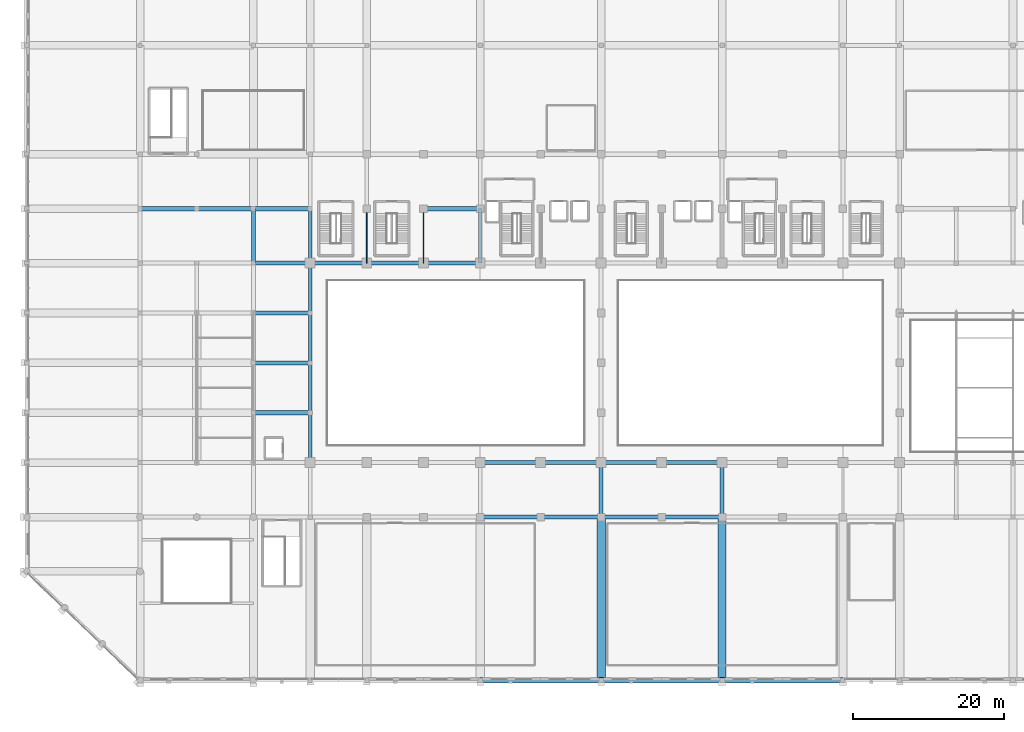
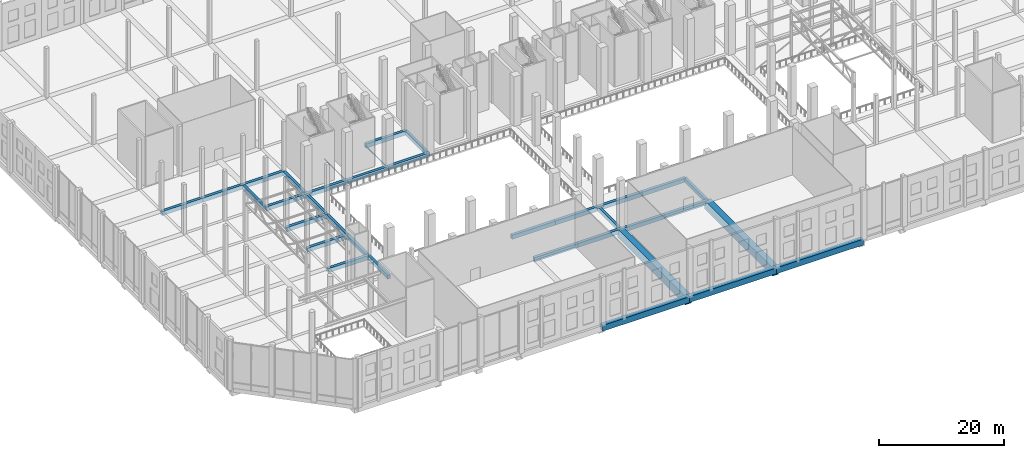
# One storey, part 25 of 80: 33 beams, 2 members.
"""IFC4 building model written with IfcOpenShell, lengths in metres."""

from ifc_helpers import new_model, si_unit, direction, frame, origin, origin_2d, place, context, subcontext, project, spatial, rectangle, hollow_rectangle, extrude, material, material_profile, profile_set, type_object, element, save


model = new_model("IFC4")

# Units and contexts
model_context = context("Model", 3, precision=1e-05, world=origin(), true_north=direction((0.0, 1.0)))
body_context = subcontext(model_context, "Body", "Model", "MODEL_VIEW")
ifc_project = project(units=[si_unit("LENGTHUNIT", "METRE"), si_unit("AREAUNIT", "SQUARE_METRE"), si_unit("VOLUMEUNIT", "CUBIC_METRE"), si_unit("PLANEANGLEUNIT", "RADIAN"), si_unit("MASSUNIT", "GRAM", prefix="KILO")], contexts=[model_context])

# Site, building, storey
site_placement = place(None, origin())
site = spatial("IfcSite", under=ifc_project, at=site_placement, CompositionType="ELEMENT")
building_placement = place(site_placement, origin())
building = spatial("IfcBuilding", under=site, at=building_placement, Name="Akrevak Sports Hall", CompositionType="ELEMENT")
storey_placement = place(building_placement, frame((0.0, 0.0, 14.0)))
storey = spatial("IfcBuildingStorey", under=building, at=storey_placement, Name="L03", CompositionType="ELEMENT", Elevation=14.0)

# Beams
ifc_material_1 = material(Name="Concrete C50/60", Category="concrete")
ifc_material_profile_1 = material_profile(ifc_material_1, rectangle(XDim=1.10009765625, YDim=1.64990234375, at=origin_2d()), Name="BM 1100x1650", Category="concrete")
ifc_profile_set_1 = profile_set([ifc_material_profile_1], Name="Concrete C50/60")
beam_type_1 = type_object("IfcBeamType", Name="STR-BM-LG1100x1650", PredefinedType="BEAM", material=ifc_profile_set_1)
for number, where, z_axis, x_axis, name in (
    (1, (76.0, 0.0, -0.824951171875), (0.0, 1.0, 0.0), (-1.0, 0.0, 0.0), "Girder 11/A-D (L03)"),
    (2, (92.0, 0.0, -0.824951171875), (0.0, 1.0, 0.0), (-1.0, 0.0, 0.0), "Girder 13/A-D (L03)"),
):
    element("IfcBeam", number, at=place(storey_placement, frame(where, z_axis=z_axis, x_axis=x_axis)), inside=storey, type_object=beam_type_1, Name=name, PredefinedType="BEAM", context=body_context, shape_type="SweptSolid", body=[
        extrude(rectangle(XDim=1.10009765625, YDim=1.64990234375, at=origin_2d()), origin(), (0.0, 0.0, 1.0), 21.60009765625),
    ])
ifc_material_2 = material(Name="Concrete C40/50", Category="concrete")
ifc_material_profile_2 = material_profile(ifc_material_2, rectangle(XDim=0.5, YDim=0.75, at=origin_2d()), Name="BM 500x750", Category="concrete")
ifc_profile_set_2 = profile_set([ifc_material_profile_2], Name="Concrete C40/50")
beam_type_2 = type_object("IfcBeamType", Name="STR-BM-RC500x750", PredefinedType="BEAM", material=ifc_profile_set_2)
beam_1_placement = place(storey_placement, frame((30.0, 55.199951171875, -0.375), z_axis=(0.0, 1.0, 0.0), x_axis=(-1.0, 0.0, 0.0)))
element("IfcBeam", 3, at=beam_1_placement, inside=storey, type_object=beam_type_2, Name="Girder 5/I-J (L03)", PredefinedType="BEAM", context=body_context, shape_type="SweptSolid", body=[
    extrude(rectangle(XDim=0.5, YDim=0.75, at=origin_2d()), origin(), (0.0, 0.0, 1.0), 7.199951171875),
])
beam_2_placement = place(storey_placement, frame((37.5, 28.800048828125, -0.375), z_axis=(0.0, 1.0, 0.0), x_axis=(-1.0, 0.0, 0.0)))
element("IfcBeam", 4, at=beam_2_placement, inside=storey, type_object=beam_type_2, Name="Girder 6/E-F (L03)", PredefinedType="BEAM", context=body_context, shape_type="SweptSolid", body=[
    extrude(rectangle(XDim=0.5, YDim=0.75, at=origin_2d()), origin(), (0.0, 0.0, 1.0), 6.599853515625),
])
for number, where, z_axis, x_axis, name in (
    (5, (37.5, 35.39990234375, -0.375), (0.0, 1.0, 0.0), (-1.0, 0.0, 0.0), "Girder 6/F-G (L03)"),
    (6, (37.5, 42.0, -0.375), (0.0, 1.0, 0.0), (-1.0, 0.0, 0.0), "Girder 6/G-H (L03)"),
):
    element("IfcBeam", number, at=place(storey_placement, frame(where, z_axis=z_axis, x_axis=x_axis)), inside=storey, type_object=beam_type_2, Name=name, PredefinedType="BEAM", context=body_context, shape_type="SweptSolid", body=[
        extrude(rectangle(XDim=0.5, YDim=0.75, at=origin_2d()), origin(), (0.0, 0.0, 1.0), 6.60009765625),
    ])
beam_3_placement = place(storey_placement, frame((37.5, 48.60009765625, -0.375), z_axis=(0.0, 1.0, 0.0), x_axis=(-1.0, 0.0, 0.0)))
element("IfcBeam", 7, at=beam_3_placement, inside=storey, type_object=beam_type_2, Name="Girder 6/H-I (L03)", PredefinedType="BEAM", context=body_context, shape_type="SweptSolid", body=[
    extrude(rectangle(XDim=0.5, YDim=0.75, at=origin_2d()), origin(), (0.0, 0.0, 1.0), 6.599853515625),
])
for number, where, z_axis, x_axis, name in (
    (8, (37.5, 55.199951171875, -0.375), (0.0, 1.0, 0.0), (-1.0, 0.0, 0.0), "Girder 6/I-J (L03)"),
    (9, (60.0, 55.199951171875, -0.375), (0.0, 1.0, 0.0), (-1.0, 0.0, 0.0), "Girder 9/I-J (L03)"),
    (10, (76.0, 21.60009765625, -0.375), (0.0, 1.0, 0.0), (-1.0, 0.0, 0.0), "Girder 11/D-E (L03)"),
    (11, (92.0, 21.60009765625, -0.375), (0.0, 1.0, 0.0), (-1.0, 0.0, 0.0), "Girder 13/D-E (L03)"),
):
    element("IfcBeam", number, at=place(storey_placement, frame(where, z_axis=z_axis, x_axis=x_axis)), inside=storey, type_object=beam_type_2, Name=name, PredefinedType="BEAM", context=body_context, shape_type="SweptSolid", body=[
        extrude(rectangle(XDim=0.5, YDim=0.75, at=origin_2d()), origin(), (0.0, 0.0, 1.0), 7.199951171875),
    ])
ifc_material_profile_3 = material_profile(ifc_material_2, rectangle(XDim=0.550048828125, YDim=0.800048828125, at=origin_2d()), Name="BM 550x800", Category="concrete")
ifc_profile_set_3 = profile_set([ifc_material_profile_3], Name="Concrete C40/50")
beam_type_3 = type_object("IfcBeamType", Name="STR-BM-RC550x800", PredefinedType="BEAM", material=ifc_profile_set_3)
for number, where, z_axis, x_axis, name in (
    (12, (60.0, 21.60009765625, -0.39990234375), (1.0, 0.0, 0.0), (0.0, 1.0, 0.0), "Girder D/9-10 (L03)"),
    (13, (68.0, 21.60009765625, -0.39990234375), (1.0, 0.0, 0.0), (0.0, 1.0, 0.0), "Girder D/10-11 (L03)"),
    (14, (76.0, 21.60009765625, -0.39990234375), (1.0, 0.0, 0.0), (0.0, 1.0, 0.0), "Girder D/11-12 (L03)"),
    (15, (84.0, 21.60009765625, -0.39990234375), (1.0, 0.0, 0.0), (0.0, 1.0, 0.0), "Girder D/12-13 (L03)"),
    (16, (60.0, 28.800048828125, -0.39990234375), (1.0, 0.0, 0.0), (0.0, 1.0, 0.0), "Girder E/9-10 (L03)"),
    (17, (68.0, 28.800048828125, -0.39990234375), (1.0, 0.0, 0.0), (0.0, 1.0, 0.0), "Girder E/10-11 (L03)"),
    (18, (76.0, 28.800048828125, -0.39990234375), (1.0, 0.0, 0.0), (0.0, 1.0, 0.0), "Girder E/11-12 (L03)"),
    (19, (84.0, 28.800048828125, -0.39990234375), (1.0, 0.0, 0.0), (0.0, 1.0, 0.0), "Girder E/12-13 (L03)"),
):
    element("IfcBeam", number, at=place(storey_placement, frame(where, z_axis=z_axis, x_axis=x_axis)), inside=storey, type_object=beam_type_3, Name=name, PredefinedType="BEAM", context=body_context, shape_type="SweptSolid", body=[
        extrude(rectangle(XDim=0.550048828125, YDim=0.800048828125, at=origin_2d()), origin(), (0.0, 0.0, 1.0), 8.0),
    ])
for number, where, z_axis, x_axis, name in (
    (20, (30.0, 35.39990234375, -0.39990234375), (1.0, 0.0, 0.0), (0.0, 1.0, 0.0), "Girder F/5-6 (L03)"),
    (21, (30.0, 42.0, -0.39990234375), (1.0, 0.0, 0.0), (0.0, 1.0, 0.0), "Girder G/5-6 (L03)"),
    (22, (30.0, 48.60009765625, -0.39990234375), (1.0, 0.0, 0.0), (0.0, 1.0, 0.0), "Girder H/5-6 (L03)"),
    (23, (30.0, 55.199951171875, -0.39990234375), (1.0, 0.0, 0.0), (0.0, 1.0, 0.0), "Girder I/5-6 (L03)"),
    (24, (37.5, 55.199951171875, -0.39990234375), (1.0, 0.0, 0.0), (0.0, 1.0, 0.0), "Girder I/6-7 (L03)"),
    (25, (45.0, 55.199951171875, -0.39990234375), (1.0, 0.0, 0.0), (0.0, 1.0, 0.0), "Girder I/7-8 (L03)"),
    (26, (52.5, 55.199951171875, -0.39990234375), (1.0, 0.0, 0.0), (0.0, 1.0, 0.0), "Girder I/8-9 (L03)"),
    (27, (15.0, 62.39990234375, -0.39990234375), (1.0, 0.0, 0.0), (0.0, 1.0, 0.0), "Girder J/3-4 (L03)"),
    (28, (22.5, 62.39990234375, -0.39990234375), (1.0, 0.0, 0.0), (0.0, 1.0, 0.0), "Girder J/4-5 (L03)"),
    (29, (30.0, 62.39990234375, -0.39990234375), (1.0, 0.0, 0.0), (0.0, 1.0, 0.0), "Girder J/5-6 (L03)"),
    (30, (52.5, 62.39990234375, -0.39990234375), (1.0, 0.0, 0.0), (0.0, 1.0, 0.0), "Girder J/8-9 (L03)"),
):
    element("IfcBeam", number, at=place(storey_placement, frame(where, z_axis=z_axis, x_axis=x_axis)), inside=storey, type_object=beam_type_3, Name=name, PredefinedType="BEAM", context=body_context, shape_type="SweptSolid", body=[
        extrude(rectangle(XDim=0.550048828125, YDim=0.800048828125, at=origin_2d()), origin(), (0.0, 0.0, 1.0), 7.5),
    ])

# Members
ifc_material_3 = material(Name="Steel S355", Category="steel")
ifc_material_profile_4 = material_profile(ifc_material_3, hollow_rectangle(XDim=0.10009765625, YDim=0.179931640625, WallThickness=0.008056640625, at=origin_2d()), Name="RHS 180x100x8", Category="steel")
ifc_profile_set_4 = profile_set([ifc_material_profile_4], Name="Steel S355")
member_type = type_object("IfcMemberType", Name="STR-MEM-STR-RHS180", PredefinedType="STRINGER", material=ifc_profile_set_4)
for number, where, z_axis, x_axis, name in (
    (31, (45.0, 55.199951171875, -0.3798828125), (0.0, 1.0, 0.0), (-1.0, 0.0, 0.0), "Upper Gallery Tie Stringer 1"),
    (32, (52.5, 55.199951171875, -0.3798828125), (0.0, 1.0, 0.0), (-1.0, 0.0, 0.0), "Upper Gallery Tie Stringer 2"),
):
    element("IfcMember", number, at=place(storey_placement, frame(where, z_axis=z_axis, x_axis=x_axis)), inside=storey, type_object=member_type, Name=name, PredefinedType="STRINGER", context=body_context, shape_type="SweptSolid", body=[
        extrude(hollow_rectangle(XDim=0.10009765625, YDim=0.179931640625, WallThickness=0.008056640625, at=origin_2d()), origin(), (0.0, 0.0, 1.0), 7.199951171875),
    ])

# Beams
ifc_material_profile_5 = material_profile(ifc_material_1, rectangle(XDim=0.75, YDim=1.14990234375, at=origin_2d()), Name="SPD 750x1150", Category="concrete")
ifc_profile_set_5 = profile_set([ifc_material_profile_5], Name="Concrete C50/60")
beam_type_4 = type_object("IfcBeamType", Name="STR-SPD-LSP750x1150", PredefinedType="SPANDREL", material=ifc_profile_set_5)
for number, where, z_axis, x_axis, name in (
    (33, (60.0, 0.0, -0.574951171875), (1.0, 0.0, 0.0), (0.0, 1.0, 0.0), "Girder A/9-11 (L03)"),
    (34, (76.0, 0.0, -0.574951171875), (1.0, 0.0, 0.0), (0.0, 1.0, 0.0), "Girder A/11-13 (L03)"),
    (35, (92.0, 0.0, -0.574951171875), (1.0, 0.0, 0.0), (0.0, 1.0, 0.0), "Girder A/13-15 (L03)"),
):
    element("IfcBeam", number, at=place(storey_placement, frame(where, z_axis=z_axis, x_axis=x_axis)), inside=storey, type_object=beam_type_4, Name=name, PredefinedType="SPANDREL", context=body_context, shape_type="SweptSolid", body=[
        extrude(rectangle(XDim=0.75, YDim=1.14990234375, at=origin_2d()), origin(), (0.0, 0.0, 1.0), 16.0),
    ])

save(model, "model.ifc")
